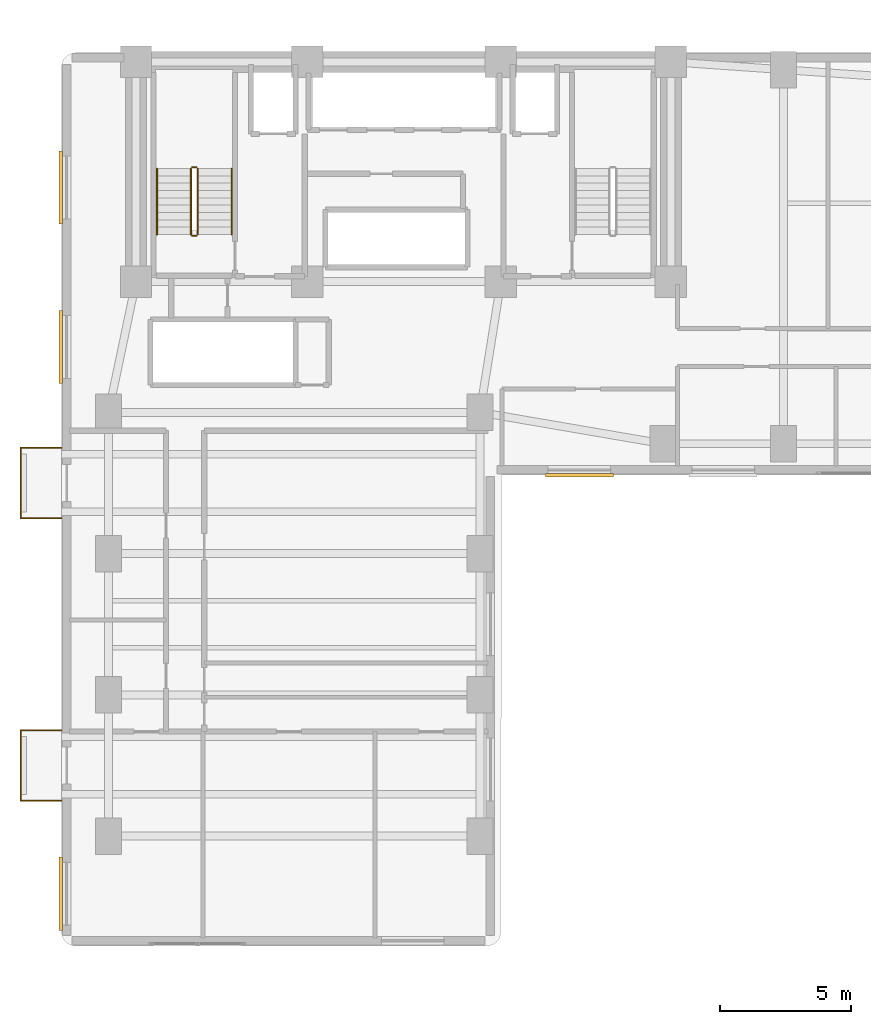
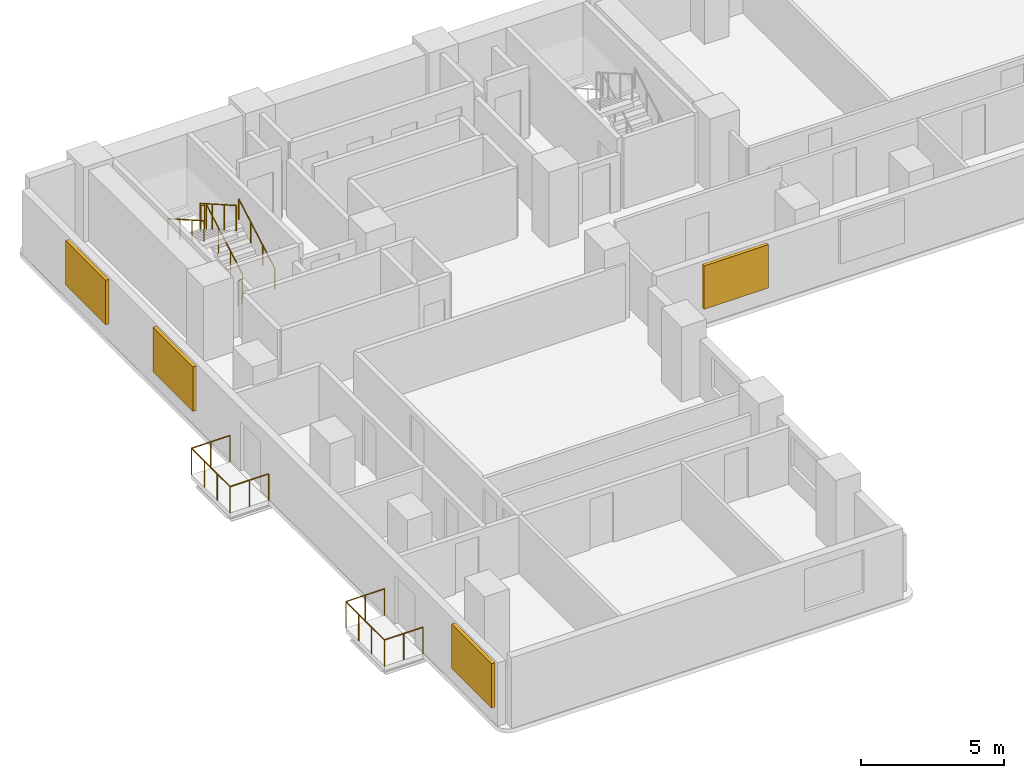
# One storey, part 13 of 15: 12 railings, 4 shading devices.
"""IFC4 building model written with IfcOpenShell, lengths in metres."""

from ifc_helpers import new_model, si_unit, direction, frame, origin, origin_2d, place, context, subcontext, project, spatial, rectangle, circle, extrude, material, layer, layer_set, type_object, element, save


model = new_model("IFC4")

# Units and contexts
model_context = context("Model", 3, precision=1e-05, world=origin(), true_north=direction((0.0, 1.0)))
body_context = subcontext(model_context, "Body", "Model", "MODEL_VIEW")
ifc_project = project(units=[si_unit("LENGTHUNIT", "METRE"), si_unit("AREAUNIT", "SQUARE_METRE"), si_unit("VOLUMEUNIT", "CUBIC_METRE"), si_unit("PLANEANGLEUNIT", "RADIAN"), si_unit("MASSUNIT", "GRAM", prefix="KILO")], contexts=[model_context])

# Site, building, storey
site_placement = place(None, origin())
site = spatial("IfcSite", under=ifc_project, at=site_placement, CompositionType="ELEMENT")
building_placement = place(site_placement, origin())
building = spatial("IfcBuilding", under=site, at=building_placement, Name="Kuzgunbayir Cultural Tower", CompositionType="ELEMENT")
storey_placement = place(building_placement, frame((0.0, 0.0, 59.60009765625)))
storey = spatial("IfcBuildingStorey", under=building, at=storey_placement, Name="L16", CompositionType="ELEMENT", Elevation=59.60009765625)

# Railings
ifc_material_1 = material(Name="Laminated Glass and Stainless Steel", Category="steel")
ifc_layer_1 = layer(ifc_material_1, 0.080078125)
ifc_layer_set_1 = layer_set([ifc_layer_1], Name="Laminated Glass and Stainless Steel")
railing_type_1 = type_object("IfcRailingType", Name="RLG-BAL-115", PredefinedType="BALUSTRADE", material=ifc_layer_set_1)
railing_1_placement = place(storey_placement, frame((3.60009765625, 13.949951171875, 0.0)))
element("IfcRailing", 1, at=railing_1_placement, inside=storey, type_object=railing_type_1, Name="L16 Balcony Guard BAL-L16-WA1 Segment 1", PredefinedType="BALUSTRADE", context=body_context, shape_type="SweptSolid", body=[
    extrude(circle(Radius=0.02392578125, at=origin_2d()), frame((0.0, 0.0, 1.1259765625), z_axis=(-1.0, 0.0, 0.0), x_axis=(0.0, -1.0, 0.0)), (0.0, 0.0, 1.0), 1.56005859375),
    extrude(circle(Radius=0.02099609375, at=origin_2d()), origin(), (0.0, 0.0, 1.0), 1.101806640625),
    extrude(circle(Radius=0.02099609375, at=origin_2d()), frame((-0.780029296875, 0.0, 0.0)), (0.0, 0.0, 1.0), 1.101806640625),
    extrude(circle(Radius=0.02099609375, at=origin_2d()), frame((-1.56005859375, 0.0, 0.0)), (0.0, 0.0, 1.0), 1.101806640625),
])
railing_2_placement = place(storey_placement, frame((2.0400390625, 13.949951171875, 0.0)))
element("IfcRailing", 2, at=railing_2_placement, inside=storey, type_object=railing_type_1, Name="L16 Balcony Guard BAL-L16-WA1 Segment 2", PredefinedType="BALUSTRADE", context=body_context, shape_type="SweptSolid", body=[
    extrude(circle(Radius=0.02392578125, at=origin_2d()), frame((0.0, 0.0, 1.1259765625), z_axis=(0.0, 1.0, 0.0), x_axis=(-1.0, 0.0, 0.0)), (0.0, 0.0, 1.0), 2.699951171875),
    extrude(circle(Radius=0.02099609375, at=origin_2d()), origin(), (0.0, 0.0, 1.0), 1.101806640625),
    extrude(circle(Radius=0.02099609375, at=origin_2d()), frame((0.0, 0.89990234375, 0.0)), (0.0, 0.0, 1.0), 1.101806640625),
    extrude(circle(Radius=0.02099609375, at=origin_2d()), frame((0.0, 1.800048828125, 0.0)), (0.0, 0.0, 1.0), 1.101806640625),
    extrude(circle(Radius=0.02099609375, at=origin_2d()), frame((0.0, 2.699951171875, 0.0)), (0.0, 0.0, 1.0), 1.101806640625),
])
railing_3_placement = place(storey_placement, frame((2.0400390625, 16.64990234375, 0.0)))
element("IfcRailing", 3, at=railing_3_placement, inside=storey, type_object=railing_type_1, Name="L16 Balcony Guard BAL-L16-WA1 Segment 3", PredefinedType="BALUSTRADE", context=body_context, shape_type="SweptSolid", body=[
    extrude(circle(Radius=0.02392578125, at=origin_2d()), frame((0.0, 0.0, 1.1259765625), z_axis=(1.0, 0.0, 0.0), x_axis=(0.0, 1.0, 0.0)), (0.0, 0.0, 1.0), 1.56005859375),
    extrude(circle(Radius=0.02099609375, at=origin_2d()), origin(), (0.0, 0.0, 1.0), 1.101806640625),
    extrude(circle(Radius=0.02099609375, at=origin_2d()), frame((0.780029296875, 0.0, 0.0)), (0.0, 0.0, 1.0), 1.101806640625),
    extrude(circle(Radius=0.02099609375, at=origin_2d()), frame((1.56005859375, 0.0, 0.0)), (0.0, 0.0, 1.0), 1.101806640625),
])
railing_4_placement = place(storey_placement, frame((3.60009765625, 24.75, 0.0)))
element("IfcRailing", 4, at=railing_4_placement, inside=storey, type_object=railing_type_1, Name="L16 Balcony Guard BAL-L16-WA3 Segment 1", PredefinedType="BALUSTRADE", context=body_context, shape_type="SweptSolid", body=[
    extrude(circle(Radius=0.02392578125, at=origin_2d()), frame((0.0, 0.0, 1.1259765625), z_axis=(-1.0, 0.0, 0.0), x_axis=(0.0, -1.0, 0.0)), (0.0, 0.0, 1.0), 1.56005859375),
    extrude(circle(Radius=0.02099609375, at=origin_2d()), origin(), (0.0, 0.0, 1.0), 1.101806640625),
    extrude(circle(Radius=0.02099609375, at=origin_2d()), frame((-0.780029296875, 0.0, 0.0)), (0.0, 0.0, 1.0), 1.101806640625),
    extrude(circle(Radius=0.02099609375, at=origin_2d()), frame((-1.56005859375, 0.0, 0.0)), (0.0, 0.0, 1.0), 1.101806640625),
])
railing_5_placement = place(storey_placement, frame((2.0400390625, 24.75, 0.0)))
element("IfcRailing", 5, at=railing_5_placement, inside=storey, type_object=railing_type_1, Name="L16 Balcony Guard BAL-L16-WA3 Segment 2", PredefinedType="BALUSTRADE", context=body_context, shape_type="SweptSolid", body=[
    extrude(circle(Radius=0.02392578125, at=origin_2d()), frame((0.0, 0.0, 1.1259765625), z_axis=(0.0, 1.0, 0.0), x_axis=(-1.0, 0.0, 0.0)), (0.0, 0.0, 1.0), 2.699951171875),
    extrude(circle(Radius=0.02099609375, at=origin_2d()), origin(), (0.0, 0.0, 1.0), 1.101806640625),
    extrude(circle(Radius=0.02099609375, at=origin_2d()), frame((0.0, 0.89990234375, 0.0)), (0.0, 0.0, 1.0), 1.101806640625),
    extrude(circle(Radius=0.02099609375, at=origin_2d()), frame((0.0, 1.800048828125, 0.0)), (0.0, 0.0, 1.0), 1.101806640625),
    extrude(circle(Radius=0.02099609375, at=origin_2d()), frame((0.0, 2.699951171875, 0.0)), (0.0, 0.0, 1.0), 1.101806640625),
])
railing_6_placement = place(storey_placement, frame((2.0400390625, 27.449951171875, 0.0)))
element("IfcRailing", 6, at=railing_6_placement, inside=storey, type_object=railing_type_1, Name="L16 Balcony Guard BAL-L16-WA3 Segment 3", PredefinedType="BALUSTRADE", context=body_context, shape_type="SweptSolid", body=[
    extrude(circle(Radius=0.02392578125, at=origin_2d()), frame((0.0, 0.0, 1.1259765625), z_axis=(1.0, 0.0, 0.0), x_axis=(0.0, 1.0, 0.0)), (0.0, 0.0, 1.0), 1.56005859375),
    extrude(circle(Radius=0.02099609375, at=origin_2d()), origin(), (0.0, 0.0, 1.0), 1.101806640625),
    extrude(circle(Radius=0.02099609375, at=origin_2d()), frame((0.780029296875, 0.0, 0.0)), (0.0, 0.0, 1.0), 1.101806640625),
    extrude(circle(Radius=0.02099609375, at=origin_2d()), frame((1.56005859375, 0.0, 0.0)), (0.0, 0.0, 1.0), 1.101806640625),
])
ifc_material_2 = material(Name="Brushed Stainless Steel", Category="steel")
ifc_layer_2 = layer(ifc_material_2, 0.050048828125)
ifc_layer_set_2 = layer_set([ifc_layer_2], Name="Brushed Stainless Steel")
railing_type_2 = type_object("IfcRailingType", Name="RLG-STAIR-HANDRAIL", PredefinedType="HANDRAIL", material=ifc_layer_set_2)
railing_7_placement = place(storey_placement, frame((10.110107421875, 35.60009765625, 0.159912109375)))
element("IfcRailing", 7, at=railing_7_placement, inside=storey, type_object=railing_type_2, Name="L16 ST-1 stair handrail 1", PredefinedType="HANDRAIL", context=body_context, shape_type="SweptSolid", body=[
    extrude(circle(Radius=0.02392578125, at=origin_2d()), frame((0.0, 0.0, 0.8759765625), z_axis=(0.0, 0.868253494771, 0.496120820787), x_axis=(-1.0, 0.0, 0.0)), (0.0, 0.0, 1.0), 2.90234375),
    extrude(circle(Radius=0.02099609375, at=origin_2d()), origin(), (0.0, 0.0, 1.0), 0.851806640625),
    extrude(circle(Radius=0.02099609375, at=origin_2d()), frame((0.0, 0.840087890625, 0.47998046875)), (0.0, 0.0, 1.0), 0.851806640625),
    extrude(circle(Radius=0.02099609375, at=origin_2d()), frame((0.0, 1.679931640625, 0.9599609375)), (0.0, 0.0, 1.0), 0.851806640625),
    extrude(circle(Radius=0.02099609375, at=origin_2d()), frame((0.0, 2.52001953125, 1.43994140625)), (0.0, 0.0, 1.0), 0.851806640625),
])
railing_8_placement = place(storey_placement, frame((7.25, 38.1201171875, 1.760009765625)))
element("IfcRailing", 8, at=railing_8_placement, inside=storey, type_object=railing_type_2, Name="L16 ST-1 stair handrail 2", PredefinedType="HANDRAIL", context=body_context, shape_type="SweptSolid", body=[
    extrude(circle(Radius=0.02392578125, at=origin_2d()), frame((0.0, 0.0, 0.8759765625), z_axis=(0.0, -0.868253494771, 0.496120820787), x_axis=(1.0, 0.0, 0.0)), (0.0, 0.0, 1.0), 2.90234375),
    extrude(circle(Radius=0.02099609375, at=origin_2d()), origin(), (0.0, 0.0, 1.0), 0.851806640625),
    extrude(circle(Radius=0.02099609375, at=origin_2d()), frame((0.0, -0.840087890625, 0.47998046875)), (0.0, 0.0, 1.0), 0.851806640625),
    extrude(circle(Radius=0.02099609375, at=origin_2d()), frame((0.0, -1.679931640625, 0.9599609375)), (0.0, 0.0, 1.0), 0.851806640625),
    extrude(circle(Radius=0.02099609375, at=origin_2d()), frame((0.0, -2.52001953125, 1.43994140625)), (0.0, 0.0, 1.0), 0.851806640625),
])
ifc_material_3 = material(Name="Painted Steel Balustrade", Category="steel")
ifc_layer_3 = layer(ifc_material_3, 0.06005859375)
ifc_layer_set_3 = layer_set([ifc_layer_3], Name="Painted Steel Balustrade")
railing_type_3 = type_object("IfcRailingType", Name="RLG-WELL-GUARD", PredefinedType="GUARDRAIL", material=ifc_layer_set_3)
railing_9_placement = place(storey_placement, frame((8.81005859375, 35.60009765625, 0.159912109375)))
element("IfcRailing", 9, at=railing_9_placement, inside=storey, type_object=railing_type_3, Name="L16 ST-1 stair guard 1", PredefinedType="GUARDRAIL", context=body_context, shape_type="SweptSolid", body=[
    extrude(circle(Radius=0.02392578125, at=origin_2d()), frame((0.0, 0.0, 1.076171875), z_axis=(0.0, 0.868253494771, 0.496120820787), x_axis=(-1.0, 0.0, 0.0)), (0.0, 0.0, 1.0), 2.90234375),
    extrude(circle(Radius=0.02099609375, at=origin_2d()), origin(), (0.0, 0.0, 1.0), 1.052001953125),
    extrude(circle(Radius=0.02099609375, at=origin_2d()), frame((0.0, 0.840087890625, 0.47998046875)), (0.0, 0.0, 1.0), 1.052001953125),
    extrude(circle(Radius=0.02099609375, at=origin_2d()), frame((0.0, 1.679931640625, 0.9599609375)), (0.0, 0.0, 1.0), 1.052001953125),
    extrude(circle(Radius=0.02099609375, at=origin_2d()), frame((0.0, 2.52001953125, 1.43994140625)), (0.0, 0.0, 1.0), 1.052001953125),
])
railing_10_placement = place(storey_placement, frame((8.760009765625, 38.169921875, 1.599853515625)))
element("IfcRailing", 10, at=railing_10_placement, inside=storey, type_object=railing_type_3, Name="L16 ST-1 stair guard 2", PredefinedType="GUARDRAIL", context=body_context, shape_type="SweptSolid", body=[
    extrude(circle(Radius=0.02392578125, at=origin_2d()), frame((0.0, 0.0, 1.076171875), z_axis=(-1.0, 0.0, 0.0), x_axis=(0.0, -1.0, 0.0)), (0.0, 0.0, 1.0), 0.159912109375),
    extrude(circle(Radius=0.02099609375, at=origin_2d()), origin(), (0.0, 0.0, 1.0), 1.052001953125),
    extrude(circle(Radius=0.02099609375, at=origin_2d()), frame((-0.159912109375, 0.0, 0.0)), (0.0, 0.0, 1.0), 1.052001953125),
])
railing_11_placement = place(storey_placement, frame((8.550048828125, 38.1201171875, 1.760009765625)))
element("IfcRailing", 11, at=railing_11_placement, inside=storey, type_object=railing_type_3, Name="L16 ST-1 stair guard 3", PredefinedType="GUARDRAIL", context=body_context, shape_type="SweptSolid", body=[
    extrude(circle(Radius=0.02392578125, at=origin_2d()), frame((0.0, 0.0, 1.076171875), z_axis=(0.0, -0.868253494771, 0.496120820787), x_axis=(1.0, 0.0, 0.0)), (0.0, 0.0, 1.0), 2.90234375),
    extrude(circle(Radius=0.02099609375, at=origin_2d()), origin(), (0.0, 0.0, 1.0), 1.052001953125),
    extrude(circle(Radius=0.02099609375, at=origin_2d()), frame((0.0, -0.840087890625, 0.47998046875)), (0.0, 0.0, 1.0), 1.052001953125),
    extrude(circle(Radius=0.02099609375, at=origin_2d()), frame((0.0, -1.679931640625, 0.9599609375)), (0.0, 0.0, 1.0), 1.052001953125),
    extrude(circle(Radius=0.02099609375, at=origin_2d()), frame((0.0, -2.52001953125, 1.43994140625)), (0.0, 0.0, 1.0), 1.052001953125),
])
railing_12_placement = place(storey_placement, frame((8.760009765625, 35.550048828125, 0.0)))
element("IfcRailing", 12, at=railing_12_placement, inside=storey, type_object=railing_type_3, Name="L16 ST-1 stair guard 4", PredefinedType="GUARDRAIL", context=body_context, shape_type="SweptSolid", body=[
    extrude(circle(Radius=0.02392578125, at=origin_2d()), frame((0.0, 0.0, 1.076171875), z_axis=(-1.0, 0.0, 0.0), x_axis=(0.0, -1.0, 0.0)), (0.0, 0.0, 1.0), 0.159912109375),
    extrude(circle(Radius=0.02099609375, at=origin_2d()), origin(), (0.0, 0.0, 1.0), 1.052001953125),
    extrude(circle(Radius=0.02099609375, at=origin_2d()), frame((-0.159912109375, 0.0, 0.0)), (0.0, 0.0, 1.0), 1.052001953125),
])

# Shading devices
ifc_material_4 = material(Name="Perforated Bronze-Anodised Aluminium", Category="aluminium")
shading_device_type = type_object("IfcShadingDeviceType", Name="SHD-SOLAR-BRONZE", PredefinedType="JALOUSIE", material=ifc_material_4)
for number, where, z_axis, x_axis, name in (
    (13, (3.580078125, 10.39990234375, 0.699951171875), (0.0, 0.0, 1.0), (1.0, 0.0, 0.0), "L16 Perforated Bronze Solar Screen WAW1"),
    (14, (3.580078125, 31.300048828125, 0.699951171875), (0.0, 0.0, 1.0), (1.0, 0.0, 0.0), "L16 Perforated Bronze Solar Screen WAW2"),
    (15, (3.580078125, 37.39990234375, 0.699951171875), (0.0, 0.0, 1.0), (1.0, 0.0, 0.0), "L16 Perforated Bronze Solar Screen WAW3"),
):
    element("IfcShadingDevice", number, at=place(storey_placement, frame(where, z_axis=z_axis, x_axis=x_axis)), inside=storey, type_object=shading_device_type, Name=name, PredefinedType="JALOUSIE", context=body_context, shape_type="SweptSolid", body=[
        extrude(rectangle(XDim=0.139892578125, YDim=2.800048828125, at=origin_2d()), origin(), (0.0, 0.0, 1.0), 1.89990234375),
    ])
shading_device_placement = place(storey_placement, frame((23.39990234375, 26.389892578125, 0.724853515625), z_axis=(0.0, 0.0, 1.0), x_axis=(1.0, 0.0, 0.0)))
element("IfcShadingDevice", 16, at=shading_device_placement, inside=storey, type_object=shading_device_type, Name="L16 Solar Screen WBS7", PredefinedType="JALOUSIE", context=body_context, shape_type="SweptSolid", body=[
    extrude(rectangle(XDim=2.60009765625, YDim=0.139892578125, at=origin_2d()), origin(), (0.0, 0.0, 1.0), 1.85009765625),
])

save(model, "model.ifc")
